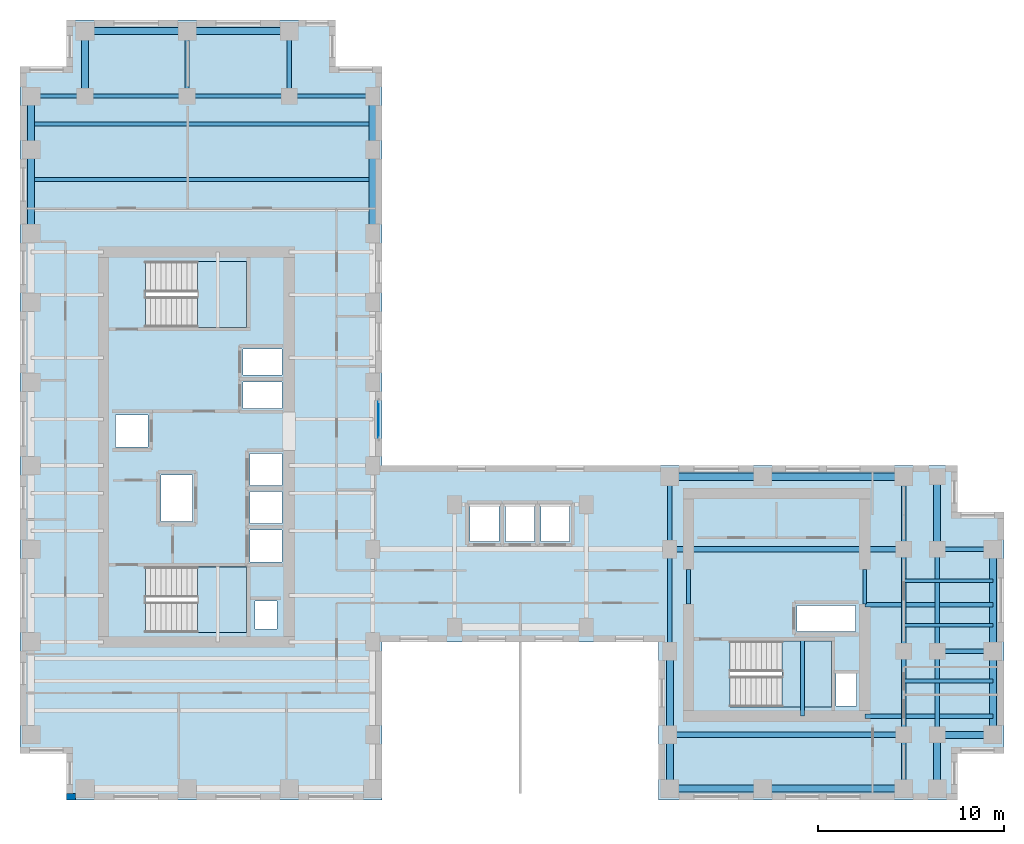
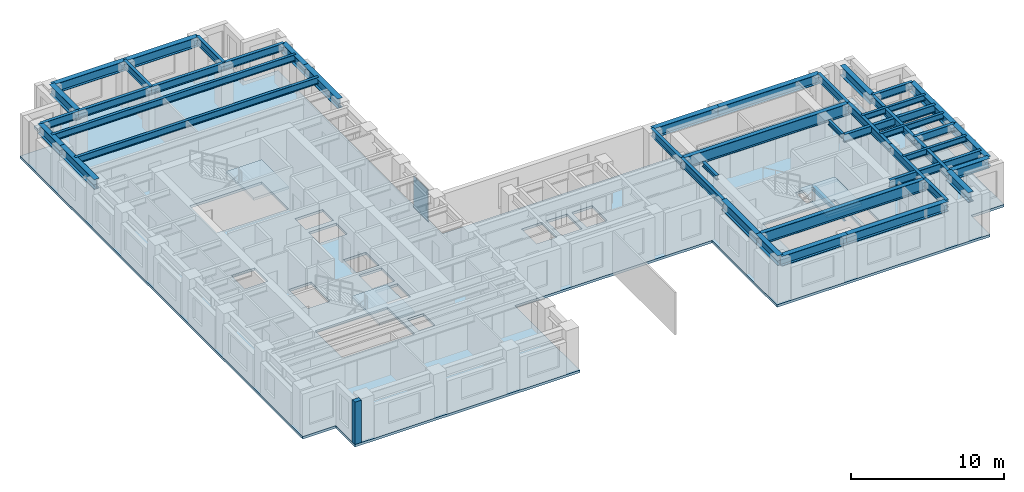
# One storey, part 3 of 11: 46 beams, 4 slabs, 1 plate, 1 wall, 4 elements without a shape of their own.
"""IFC4 building model written with IfcOpenShell, lengths in metres."""

from ifc_helpers import new_model, si_unit, direction, frame, frame_2d, origin, origin_2d, place, context, subcontext, project, spatial, polyline, rectangle, i_section, outline, extrude, source, transform, mapped, material, layer, layer_set, material_profile, profile_set, type_object, element, aggregate, save


model = new_model("IFC4")

# Units and contexts
model_context = context("Model", 3, precision=1e-05, world=origin(), true_north=direction((0.0, 1.0)))
body_context = subcontext(model_context, "Body", "Model", "MODEL_VIEW")
ifc_project = project(units=[si_unit("LENGTHUNIT", "METRE"), si_unit("AREAUNIT", "SQUARE_METRE"), si_unit("VOLUMEUNIT", "CUBIC_METRE"), si_unit("PLANEANGLEUNIT", "RADIAN"), si_unit("MASSUNIT", "GRAM", prefix="KILO")], contexts=[model_context])

# Site, building, storey
site_placement = place(None, origin())
site = spatial("IfcSite", under=ifc_project, at=site_placement, CompositionType="ELEMENT")
building_placement = place(site_placement, origin())
building = spatial("IfcBuilding", under=site, at=building_placement, Name="Kharzan Plaza Tower", CompositionType="ELEMENT")
storey_placement = place(building_placement, frame((0.0, 0.0, 182.699951171875)))
storey = spatial("IfcBuildingStorey", under=building, at=storey_placement, Name="L49", CompositionType="ELEMENT", Elevation=182.699951171875)

# Beams
ifc_material_1 = material(Name="Steel S355", Category="steel")
ifc_material_profile_1 = material_profile(ifc_material_1, i_section(OverallWidth=0.205078125, OverallDepth=0.35400390625, WebThickness=0.009521484375, FlangeThickness=0.016845703125, at=origin_2d()), Name="W360x79")
ifc_profile_set_1 = profile_set([ifc_material_profile_1], Name="Steel S355")
beam_type_1 = type_object("IfcBeamType", Name="BM-LNT360", PredefinedType="LINTEL", material=ifc_profile_set_1)
shared_shape_1 = source(origin(), body_context, "Body", "SweptSolid", [
    extrude(i_section(OverallWidth=0.205078125, OverallDepth=0.35400390625, WebThickness=0.009521484375, FlangeThickness=0.016845703125, at=origin_2d()), origin(), (0.0, 0.0, 1.0), 1.849853515625),
])
for number, where, z_axis, x_axis, name in (
    (1, (45.5, 10.550048828125, 3.22314453125), (0.0, 1.0, 0.0), (-1.0, 0.0, 0.0), "L49 CORE-B coupling lintel LN1-WE"),
    (2, (36.0, 10.550048828125, 3.22314453125), (0.0, 1.0, 0.0), (-1.0, 0.0, 0.0), "L49 CORE-B coupling lintel LN1-WW"),
):
    element("IfcBeam", number, at=place(storey_placement, frame(where, z_axis=z_axis, x_axis=x_axis)), inside=storey, type_object=beam_type_1, Name=name, PredefinedType="LINTEL", context=body_context, shape_type="MappedRepresentation", body=[
        mapped(shared_shape_1, transform((0.0, 0.0, 0.0), x_axis=(1.0, 0.0, 0.0), y_axis=(0.0, 1.0, 0.0), z_axis=(0.0, 0.0, 1.0))),
    ])
shared_shape_2 = source(origin(), body_context, "Body", "SweptSolid", [
    extrude(i_section(OverallWidth=0.205078125, OverallDepth=0.35400390625, WebThickness=0.009521484375, FlangeThickness=0.016845703125, at=origin_2d()), origin(), (0.0, 0.0, 1.0), 4.155029296875),
])
beam_1_placement = place(storey_placement, frame((42.14990234375, 4.5, 1.423095703125), z_axis=(0.0, 1.0, 0.0), x_axis=(-1.0, 0.0, 0.0)))
element("IfcBeam", 3, at=beam_1_placement, inside=storey, type_object=beam_type_1, Name="L49 Stair ST-3 Half-Landing Beam", PredefinedType="LINTEL", context=body_context, shape_type="MappedRepresentation", body=[
    mapped(shared_shape_2, transform((0.0, 0.0, 0.0), x_axis=(1.0, 0.0, 0.0), y_axis=(0.0, 1.0, 0.0), z_axis=(0.0, 0.0, 1.0))),
])
ifc_material_profile_2 = material_profile(ifc_material_1, i_section(OverallWidth=0.304931640625, OverallDepth=0.9189453125, WebThickness=0.017333984375, FlangeThickness=0.02783203125, at=origin_2d()), Name="W920x253")
ifc_profile_set_2 = profile_set([ifc_material_profile_2], Name="Steel S355")
beam_type_2 = type_object("IfcBeamType", Name="BM-FG920B", PredefinedType="BEAM", material=ifc_profile_set_2)
shared_shape_3 = source(origin(), body_context, "Body", "SweptSolid", [
    extrude(i_section(OverallWidth=0.304931640625, OverallDepth=0.9189453125, WebThickness=0.017333984375, FlangeThickness=0.02783203125, at=origin_2d()), origin(), (0.0, 0.0, 1.0), 12.60009765625),
])
for number, where, z_axis, x_axis, name in (
    (4, (35.0, 3.5, 2.9404296875), (1.0, 0.0, 0.0), (0.0, 1.0, 0.0), "L49 Primary Floor Girder"),
    (5, (35.0, 13.5, 2.9404296875), (1.0, 0.0, 0.0), (0.0, 1.0, 0.0), "L49 Primary Floor Girder"),
):
    element("IfcBeam", number, at=place(storey_placement, frame(where, z_axis=z_axis, x_axis=x_axis)), inside=storey, type_object=beam_type_2, Name=name, PredefinedType="BEAM", context=body_context, shape_type="MappedRepresentation", body=[
        mapped(shared_shape_3, transform((0.0, 0.0, 0.0), x_axis=(1.0, 0.0, 0.0), y_axis=(0.0, 1.0, 0.0), z_axis=(0.0, 0.0, 1.0))),
    ])
ifc_material_profile_3 = material_profile(ifc_material_1, i_section(OverallWidth=0.2099609375, OverallDepth=0.537109375, WebThickness=0.010986328125, FlangeThickness=0.017333984375, at=origin_2d()), Name="W530x101")
ifc_profile_set_3 = profile_set([ifc_material_profile_3], Name="Steel S355")
beam_type_3 = type_object("IfcBeamType", Name="BM-JST530B", PredefinedType="JOIST", material=ifc_profile_set_3)
shared_shape_4 = source(origin(), body_context, "Body", "SweptSolid", [
    extrude(i_section(OverallWidth=0.2099609375, OverallDepth=0.537109375, WebThickness=0.010986328125, FlangeThickness=0.017333984375, at=origin_2d()), origin(), (0.0, 0.0, 1.0), 18.39990234375),
])
for number, where, z_axis, x_axis, name in (
    (6, (0.60009765625, 33.39990234375, 3.131591796875), (1.0, 0.0, 0.0), (0.0, 1.0, 0.0), "L49 Wing A Composite Joist 05"),
    (7, (0.60009765625, 36.39990234375, 3.131591796875), (1.0, 0.0, 0.0), (0.0, 1.0, 0.0), "L49 Wing A Composite Joist 06"),
):
    element("IfcBeam", number, at=place(storey_placement, frame(where, z_axis=z_axis, x_axis=x_axis)), inside=storey, type_object=beam_type_3, Name=name, PredefinedType="JOIST", context=body_context, shape_type="MappedRepresentation", body=[
        mapped(shared_shape_4, transform((0.0, 0.0, 0.0), x_axis=(1.0, 0.0, 0.0), y_axis=(0.0, 1.0, 0.0), z_axis=(0.0, 0.0, 1.0))),
    ])
ifc_material_profile_4 = material_profile(ifc_material_1, i_section(OverallWidth=0.22900390625, OverallDepth=0.612060546875, WebThickness=0.011962890625, FlangeThickness=0.01953125, at=origin_2d()), Name="W610x125")
ifc_profile_set_4 = profile_set([ifc_material_profile_4], Name="Steel S355")
beam_type_4 = type_object("IfcBeamType", Name="BM-FG610B", PredefinedType="BEAM", material=ifc_profile_set_4)
shared_shape_5 = source(origin(), body_context, "Body", "SweptSolid", [
    extrude(i_section(OverallWidth=0.22900390625, OverallDepth=0.612060546875, WebThickness=0.011962890625, FlangeThickness=0.01953125, at=origin_2d()), origin(), (0.0, 0.0, 1.0), 4.5),
])
for number, where, z_axis, x_axis, name in (
    (8, (47.60009765625, 3.5, 3.093994140625), (0.0, 1.0, 0.0), (-1.0, 0.0, 0.0), "L49 Interior Frame Girder"),
    (9, (49.39990234375, 3.5, 3.093994140625), (0.0, 1.0, 0.0), (-1.0, 0.0, 0.0), "L49 Interior Frame Girder"),
    (10, (14.5, 37.89990234375, 3.093994140625), (1.0, 0.0, 0.0), (0.0, 1.0, 0.0), "L49 Primary Floor Girder"),
):
    element("IfcBeam", number, at=place(storey_placement, frame(where, z_axis=z_axis, x_axis=x_axis)), inside=storey, type_object=beam_type_4, Name=name, PredefinedType="BEAM", context=body_context, shape_type="MappedRepresentation", body=[
        mapped(shared_shape_5, transform((0.0, 0.0, 0.0), x_axis=(1.0, 0.0, 0.0), y_axis=(0.0, 1.0, 0.0), z_axis=(0.0, 0.0, 1.0))),
    ])
shared_shape_6 = source(origin(), body_context, "Body", "SweptSolid", [
    extrude(i_section(OverallWidth=0.22900390625, OverallDepth=0.612060546875, WebThickness=0.011962890625, FlangeThickness=0.01953125, at=origin_2d()), origin(), (0.0, 0.0, 1.0), 3.89990234375),
])
for number, where, z_axis, x_axis, name in (
    (11, (35.0, 13.5, 3.093994140625), (0.0, 1.0, 0.0), (-1.0, 0.0, 0.0), "L49 Interior Frame Girder"),
    (12, (47.60009765625, 13.5, 3.093994140625), (0.0, 1.0, 0.0), (-1.0, 0.0, 0.0), "L49 Interior Frame Girder"),
):
    element("IfcBeam", number, at=place(storey_placement, frame(where, z_axis=z_axis, x_axis=x_axis)), inside=storey, type_object=beam_type_4, Name=name, PredefinedType="BEAM", context=body_context, shape_type="MappedRepresentation", body=[
        mapped(shared_shape_6, transform((0.0, 0.0, 0.0), x_axis=(1.0, 0.0, 0.0), y_axis=(0.0, 1.0, 0.0), z_axis=(0.0, 0.0, 1.0))),
    ])
shared_shape_7 = source(origin(), body_context, "Body", "SweptSolid", [
    extrude(i_section(OverallWidth=0.22900390625, OverallDepth=0.612060546875, WebThickness=0.011962890625, FlangeThickness=0.01953125, at=origin_2d()), origin(), (0.0, 0.0, 1.0), 6.89990234375),
])
for number, where, z_axis, x_axis, name in (
    (13, (45.5, 4.5, 3.093994140625), (1.0, 0.0, 0.0), (0.0, 1.0, 0.0), "L49 Core-B East Floor Girder 1"),
    (14, (45.5, 10.5, 3.093994140625), (1.0, 0.0, 0.0), (0.0, 1.0, 0.0), "L49 Core-B East Floor Girder 2"),
):
    element("IfcBeam", number, at=place(storey_placement, frame(where, z_axis=z_axis, x_axis=x_axis)), inside=storey, type_object=beam_type_4, Name=name, PredefinedType="BEAM", context=body_context, shape_type="MappedRepresentation", body=[
        mapped(shared_shape_7, transform((0.0, 0.0, 0.0), x_axis=(1.0, 0.0, 0.0), y_axis=(0.0, 1.0, 0.0), z_axis=(0.0, 0.0, 1.0))),
    ])
shared_shape_8 = source(origin(), body_context, "Body", "SweptSolid", [
    extrude(i_section(OverallWidth=0.22900390625, OverallDepth=0.612060546875, WebThickness=0.011962890625, FlangeThickness=0.01953125, at=origin_2d()), origin(), (0.0, 0.0, 1.0), 3.5),
])
for number, where, z_axis, x_axis, name in (
    (15, (9.0, 37.89990234375, 3.093994140625), (0.0, 1.0, 0.0), (-1.0, 0.0, 0.0), "L49 Interior Frame Girder"),
    (16, (14.5, 37.89990234375, 3.093994140625), (0.0, 1.0, 0.0), (-1.0, 0.0, 0.0), "L49 Interior Frame Girder"),
):
    element("IfcBeam", number, at=place(storey_placement, frame(where, z_axis=z_axis, x_axis=x_axis)), inside=storey, type_object=beam_type_4, Name=name, PredefinedType="BEAM", context=body_context, shape_type="MappedRepresentation", body=[
        mapped(shared_shape_8, transform((0.0, 0.0, 0.0), x_axis=(1.0, 0.0, 0.0), y_axis=(0.0, 1.0, 0.0), z_axis=(0.0, 0.0, 1.0))),
    ])
shared_shape_9 = source(origin(), body_context, "Body", "SweptSolid", [
    extrude(i_section(OverallWidth=0.22900390625, OverallDepth=0.612060546875, WebThickness=0.011962890625, FlangeThickness=0.01953125, at=origin_2d()), origin(), (0.0, 0.0, 1.0), 5.5),
])
for number, where, z_axis, x_axis, name in (
    (17, (35.0, 8.0, 3.093994140625), (0.0, 1.0, 0.0), (-1.0, 0.0, 0.0), "L49 Interior Frame Girder"),
    (18, (47.60009765625, 8.0, 3.093994140625), (0.0, 1.0, 0.0), (-1.0, 0.0, 0.0), "L49 Interior Frame Girder"),
    (19, (49.39990234375, 8.0, 3.093994140625), (0.0, 1.0, 0.0), (-1.0, 0.0, 0.0), "L49 Interior Frame Girder"),
    (20, (3.5, 37.89990234375, 3.093994140625), (1.0, 0.0, 0.0), (0.0, 1.0, 0.0), "L49 Primary Floor Girder"),
    (21, (9.0, 37.89990234375, 3.093994140625), (1.0, 0.0, 0.0), (0.0, 1.0, 0.0), "L49 Primary Floor Girder"),
):
    element("IfcBeam", number, at=place(storey_placement, frame(where, z_axis=z_axis, x_axis=x_axis)), inside=storey, type_object=beam_type_4, Name=name, PredefinedType="BEAM", context=body_context, shape_type="MappedRepresentation", body=[
        mapped(shared_shape_9, transform((0.0, 0.0, 0.0), x_axis=(1.0, 0.0, 0.0), y_axis=(0.0, 1.0, 0.0), z_axis=(0.0, 0.0, 1.0))),
    ])
shared_shape_10 = source(origin(), body_context, "Body", "SweptSolid", [
    extrude(i_section(OverallWidth=0.22900390625, OverallDepth=0.612060546875, WebThickness=0.011962890625, FlangeThickness=0.01953125, at=origin_2d()), origin(), (0.0, 0.0, 1.0), 2.89990234375),
])
for number, where, z_axis, x_axis, name in (
    (22, (47.60009765625, 0.60009765625, 3.093994140625), (0.0, 1.0, 0.0), (-1.0, 0.0, 0.0), "L49 Interior Frame Girder"),
    (23, (0.60009765625, 37.89990234375, 3.093994140625), (1.0, 0.0, 0.0), (0.0, 1.0, 0.0), "L49 Primary Floor Girder"),
):
    element("IfcBeam", number, at=place(storey_placement, frame(where, z_axis=z_axis, x_axis=x_axis)), inside=storey, type_object=beam_type_4, Name=name, PredefinedType="BEAM", context=body_context, shape_type="MappedRepresentation", body=[
        mapped(shared_shape_10, transform((0.0, 0.0, 0.0), x_axis=(1.0, 0.0, 0.0), y_axis=(0.0, 1.0, 0.0), z_axis=(0.0, 0.0, 1.0))),
    ])
shared_shape_11 = source(origin(), body_context, "Body", "SweptSolid", [
    extrude(i_section(OverallWidth=0.22900390625, OverallDepth=0.612060546875, WebThickness=0.011962890625, FlangeThickness=0.01953125, at=origin_2d()), origin(), (0.0, 0.0, 1.0), 3.0),
])
for number, where, z_axis, x_axis, name in (
    (24, (49.39990234375, 8.0, 3.093994140625), (1.0, 0.0, 0.0), (0.0, 1.0, 0.0), "L49 Primary Floor Girder"),
    (25, (49.39990234375, 13.5, 3.093994140625), (1.0, 0.0, 0.0), (0.0, 1.0, 0.0), "L49 Primary Floor Girder"),
):
    element("IfcBeam", number, at=place(storey_placement, frame(where, z_axis=z_axis, x_axis=x_axis)), inside=storey, type_object=beam_type_4, Name=name, PredefinedType="BEAM", context=body_context, shape_type="MappedRepresentation", body=[
        mapped(shared_shape_11, transform((0.0, 0.0, 0.0), x_axis=(1.0, 0.0, 0.0), y_axis=(0.0, 1.0, 0.0), z_axis=(0.0, 0.0, 1.0))),
    ])
ifc_material_profile_5 = material_profile(ifc_material_1, i_section(OverallWidth=0.194091796875, OverallDepth=0.468994140625, WebThickness=0.011474609375, FlangeThickness=0.0205078125, at=origin_2d()), Name="W460x106")
ifc_profile_set_5 = profile_set([ifc_material_profile_5], Name="Steel S355")
beam_type_5 = type_object("IfcBeamType", Name="BM-JST460", PredefinedType="JOIST", material=ifc_profile_set_5)
shared_shape_12 = source(origin(), body_context, "Body", "SweptSolid", [
    extrude(i_section(OverallWidth=0.194091796875, OverallDepth=0.468994140625, WebThickness=0.011474609375, FlangeThickness=0.0205078125, at=origin_2d()), origin(), (0.0, 0.0, 1.0), 4.7998046875),
])
for number, where, z_axis, x_axis, name in (
    (26, (47.60009765625, 6.39990234375, 3.16552734375), (1.0, 0.0, 0.0), (0.0, 1.0, 0.0), "L49 Wing B Composite Joist 02"),
    (27, (47.60009765625, 9.39990234375, 3.16552734375), (1.0, 0.0, 0.0), (0.0, 1.0, 0.0), "L49 Wing B Composite Joist 03"),
    (28, (47.60009765625, 11.800048828125, 3.16552734375), (1.0, 0.0, 0.0), (0.0, 1.0, 0.0), "L49 Wing B Composite Joist 04"),
):
    element("IfcBeam", number, at=place(storey_placement, frame(where, z_axis=z_axis, x_axis=x_axis)), inside=storey, type_object=beam_type_5, Name=name, PredefinedType="JOIST", context=body_context, shape_type="MappedRepresentation", body=[
        mapped(shared_shape_12, transform((0.0, 0.0, 0.0), x_axis=(1.0, 0.0, 0.0), y_axis=(0.0, 1.0, 0.0), z_axis=(0.0, 0.0, 1.0))),
    ])
ifc_material_profile_6 = material_profile(ifc_material_1, i_section(OverallWidth=0.381103515625, OverallDepth=0.77294921875, WebThickness=0.0166015625, FlangeThickness=0.027587890625, at=origin_2d()), Name="W760x257")
ifc_profile_set_6 = profile_set([ifc_material_profile_6], Name="Steel S355")
beam_type_6 = type_object("IfcBeamType", Name="BM-SP760A", PredefinedType="SPANDREL", material=ifc_profile_set_6)
shared_shape_13 = source(origin(), body_context, "Body", "SweptSolid", [
    extrude(i_section(OverallWidth=0.381103515625, OverallDepth=0.77294921875, WebThickness=0.0166015625, FlangeThickness=0.027587890625, at=origin_2d()), origin(), (0.0, 0.0, 1.0), 5.0),
])
for number, where, z_axis, x_axis, name in (
    (29, (35.0, 0.60009765625, 3.013427734375), (1.0, 0.0, 0.0), (0.0, 1.0, 0.0), "L49 Perimeter Tube Spandrel"),
    (30, (35.0, 17.39990234375, 3.013427734375), (1.0, 0.0, 0.0), (0.0, 1.0, 0.0), "L49 Perimeter Tube Spandrel"),
):
    element("IfcBeam", number, at=place(storey_placement, frame(where, z_axis=z_axis, x_axis=x_axis)), inside=storey, type_object=beam_type_6, Name=name, PredefinedType="SPANDREL", context=body_context, shape_type="MappedRepresentation", body=[
        mapped(shared_shape_13, transform((0.0, 0.0, 0.0), x_axis=(1.0, 0.0, 0.0), y_axis=(0.0, 1.0, 0.0), z_axis=(0.0, 0.0, 1.0))),
    ])
shared_shape_14 = source(origin(), body_context, "Body", "SweptSolid", [
    extrude(i_section(OverallWidth=0.381103515625, OverallDepth=0.77294921875, WebThickness=0.0166015625, FlangeThickness=0.027587890625, at=origin_2d()), origin(), (0.0, 0.0, 1.0), 4.5),
])
for number, where, z_axis, x_axis, name in (
    (31, (0.60009765625, 30.5, 3.013427734375), (0.0, 1.0, 0.0), (-1.0, 0.0, 0.0), "L49 Perimeter Tube Spandrel"),
    (32, (19.0, 30.5, 3.013427734375), (0.0, 1.0, 0.0), (-1.0, 0.0, 0.0), "L49 Perimeter Tube Spandrel"),
    (33, (35.0, 3.5, 3.013427734375), (0.0, 1.0, 0.0), (-1.0, 0.0, 0.0), "L49 Perimeter Tube Spandrel"),
    (34, (52.39990234375, 3.5, 3.013427734375), (0.0, 1.0, 0.0), (-1.0, 0.0, 0.0), "L49 Perimeter Tube Spandrel"),
):
    element("IfcBeam", number, at=place(storey_placement, frame(where, z_axis=z_axis, x_axis=x_axis)), inside=storey, type_object=beam_type_6, Name=name, PredefinedType="SPANDREL", context=body_context, shape_type="MappedRepresentation", body=[
        mapped(shared_shape_14, transform((0.0, 0.0, 0.0), x_axis=(1.0, 0.0, 0.0), y_axis=(0.0, 1.0, 0.0), z_axis=(0.0, 0.0, 1.0))),
    ])
shared_shape_15 = source(origin(), body_context, "Body", "SweptSolid", [
    extrude(i_section(OverallWidth=0.381103515625, OverallDepth=0.77294921875, WebThickness=0.0166015625, FlangeThickness=0.027587890625, at=origin_2d()), origin(), (0.0, 0.0, 1.0), 2.89990234375),
])
for number, where, z_axis, x_axis, name in (
    (35, (0.60009765625, 35.0, 3.013427734375), (0.0, 1.0, 0.0), (-1.0, 0.0, 0.0), "L49 Perimeter Tube Spandrel"),
    (36, (19.0, 35.0, 3.013427734375), (0.0, 1.0, 0.0), (-1.0, 0.0, 0.0), "L49 Perimeter Tube Spandrel"),
    (37, (35.0, 0.60009765625, 3.013427734375), (0.0, 1.0, 0.0), (-1.0, 0.0, 0.0), "L49 Perimeter Tube Spandrel"),
    (38, (49.39990234375, 0.60009765625, 3.013427734375), (0.0, 1.0, 0.0), (-1.0, 0.0, 0.0), "L49 Perimeter Tube Spandrel"),
):
    element("IfcBeam", number, at=place(storey_placement, frame(where, z_axis=z_axis, x_axis=x_axis)), inside=storey, type_object=beam_type_6, Name=name, PredefinedType="SPANDREL", context=body_context, shape_type="MappedRepresentation", body=[
        mapped(shared_shape_15, transform((0.0, 0.0, 0.0), x_axis=(1.0, 0.0, 0.0), y_axis=(0.0, 1.0, 0.0), z_axis=(0.0, 0.0, 1.0))),
    ])
shared_shape_16 = source(origin(), body_context, "Body", "SweptSolid", [
    extrude(i_section(OverallWidth=0.381103515625, OverallDepth=0.77294921875, WebThickness=0.0166015625, FlangeThickness=0.027587890625, at=origin_2d()), origin(), (0.0, 0.0, 1.0), 3.5),
])
beam_2_placement = place(storey_placement, frame((3.5, 37.89990234375, 3.013427734375), z_axis=(0.0, 1.0, 0.0), x_axis=(-1.0, 0.0, 0.0)))
element("IfcBeam", 39, at=beam_2_placement, inside=storey, type_object=beam_type_6, Name="L49 Perimeter Tube Spandrel", PredefinedType="SPANDREL", context=body_context, shape_type="MappedRepresentation", body=[
    mapped(shared_shape_16, transform((0.0, 0.0, 0.0), x_axis=(1.0, 0.0, 0.0), y_axis=(0.0, 1.0, 0.0), z_axis=(0.0, 0.0, 1.0))),
])
shared_shape_17 = source(origin(), body_context, "Body", "SweptSolid", [
    extrude(i_section(OverallWidth=0.381103515625, OverallDepth=0.77294921875, WebThickness=0.0166015625, FlangeThickness=0.027587890625, at=origin_2d()), origin(), (0.0, 0.0, 1.0), 3.89990234375),
])
beam_3_placement = place(storey_placement, frame((49.39990234375, 13.5, 3.013427734375), z_axis=(0.0, 1.0, 0.0), x_axis=(-1.0, 0.0, 0.0)))
element("IfcBeam", 40, at=beam_3_placement, inside=storey, type_object=beam_type_6, Name="L49 Perimeter Tube Spandrel", PredefinedType="SPANDREL", context=body_context, shape_type="MappedRepresentation", body=[
    mapped(shared_shape_17, transform((0.0, 0.0, 0.0), x_axis=(1.0, 0.0, 0.0), y_axis=(0.0, 1.0, 0.0), z_axis=(0.0, 0.0, 1.0))),
])
shared_shape_18 = source(origin(), body_context, "Body", "SweptSolid", [
    extrude(i_section(OverallWidth=0.381103515625, OverallDepth=0.77294921875, WebThickness=0.0166015625, FlangeThickness=0.027587890625, at=origin_2d()), origin(), (0.0, 0.0, 1.0), 5.5),
])
for number, where, z_axis, x_axis, name in (
    (41, (52.39990234375, 8.0, 3.013427734375), (0.0, 1.0, 0.0), (-1.0, 0.0, 0.0), "L49 Perimeter Tube Spandrel"),
    (42, (3.5, 41.39990234375, 3.013427734375), (1.0, 0.0, 0.0), (0.0, 1.0, 0.0), "L49 Perimeter Tube Spandrel"),
    (43, (9.0, 41.39990234375, 3.013427734375), (1.0, 0.0, 0.0), (0.0, 1.0, 0.0), "L49 Perimeter Tube Spandrel"),
):
    element("IfcBeam", number, at=place(storey_placement, frame(where, z_axis=z_axis, x_axis=x_axis)), inside=storey, type_object=beam_type_6, Name=name, PredefinedType="SPANDREL", context=body_context, shape_type="MappedRepresentation", body=[
        mapped(shared_shape_18, transform((0.0, 0.0, 0.0), x_axis=(1.0, 0.0, 0.0), y_axis=(0.0, 1.0, 0.0), z_axis=(0.0, 0.0, 1.0))),
    ])
shared_shape_19 = source(origin(), body_context, "Body", "SweptSolid", [
    extrude(i_section(OverallWidth=0.381103515625, OverallDepth=0.77294921875, WebThickness=0.0166015625, FlangeThickness=0.027587890625, at=origin_2d()), origin(), (0.0, 0.0, 1.0), 7.60009765625),
])
for number, where, z_axis, x_axis, name in (
    (44, (40.0, 0.60009765625, 3.013427734375), (1.0, 0.0, 0.0), (0.0, 1.0, 0.0), "L49 Perimeter Tube Spandrel"),
    (45, (40.0, 17.39990234375, 3.013427734375), (1.0, 0.0, 0.0), (0.0, 1.0, 0.0), "L49 Perimeter Tube Spandrel"),
):
    element("IfcBeam", number, at=place(storey_placement, frame(where, z_axis=z_axis, x_axis=x_axis)), inside=storey, type_object=beam_type_6, Name=name, PredefinedType="SPANDREL", context=body_context, shape_type="MappedRepresentation", body=[
        mapped(shared_shape_19, transform((0.0, 0.0, 0.0), x_axis=(1.0, 0.0, 0.0), y_axis=(0.0, 1.0, 0.0), z_axis=(0.0, 0.0, 1.0))),
    ])
shared_shape_20 = source(origin(), body_context, "Body", "SweptSolid", [
    extrude(i_section(OverallWidth=0.381103515625, OverallDepth=0.77294921875, WebThickness=0.0166015625, FlangeThickness=0.027587890625, at=origin_2d()), origin(), (0.0, 0.0, 1.0), 3.0),
])
beam_4_placement = place(storey_placement, frame((49.39990234375, 3.5, 3.013427734375), z_axis=(1.0, 0.0, 0.0), x_axis=(0.0, 1.0, 0.0)))
element("IfcBeam", 46, at=beam_4_placement, inside=storey, type_object=beam_type_6, Name="L49 Perimeter Tube Spandrel", PredefinedType="SPANDREL", context=body_context, shape_type="MappedRepresentation", body=[
    mapped(shared_shape_20, transform((0.0, 0.0, 0.0), x_axis=(1.0, 0.0, 0.0), y_axis=(0.0, 1.0, 0.0), z_axis=(0.0, 0.0, 1.0))),
])

# Slab
ifc_material_2 = material(Name="Concrete C40/50", Category="concrete")
ifc_layer_1 = layer(ifc_material_2, 0.199951171875)
ifc_layer_set_1 = layer_set([ifc_layer_1], Name="Concrete C40/50")
slab_type_1 = type_object("IfcSlabType", Name="SL-FLOOR-200", PredefinedType="FLOOR", material=ifc_layer_set_1)
slab_1_placement = place(storey_placement, frame((0.0, 0.0, -0.199951171875)))
element("IfcSlab", 47, at=slab_1_placement, inside=storey, type_object=slab_type_1, Name="L49 Composite Structural Floor Slab 200 mm", PredefinedType="FLOOR", context=body_context, shape_type="SweptSolid", body=[
    extrude(outline(polyline([(34.39990234375, 18.0), (19.5, 18.0), (19.5, 39.5), (17.0, 39.5), (17.0, 42.0), (2.5, 42.0), (2.5, 39.5), (0.0, 39.5), (0.0, 2.5), (2.5, 2.5), (2.5, 0.0), (19.5, 0.0), (19.5, 8.5), (34.39990234375, 8.5), (34.39990234375, 0.0), (50.5, 0.0), (50.5, 2.5), (53.0, 2.5), (53.0, 15.5), (50.5, 15.5), (50.5, 18.0), (34.39990234375, 18.0)]), holes=[polyline([(12.199951171875, 9.0), (12.199951171875, 12.550048828125), (6.75, 12.550048828125), (6.75, 9.0), (12.199951171875, 9.0)]), polyline([(14.10009765625, 12.800048828125), (14.10009765625, 14.530029296875), (12.39990234375, 14.530029296875), (12.39990234375, 12.800048828125), (14.10009765625, 12.800048828125)]), polyline([(14.10009765625, 14.8701171875), (14.10009765625, 16.60009765625), (12.39990234375, 16.60009765625), (12.39990234375, 14.8701171875), (14.10009765625, 14.8701171875)]), polyline([(9.300048828125, 15.0), (9.300048828125, 17.5), (7.60009765625, 17.5), (7.60009765625, 15.0), (9.300048828125, 15.0)]), polyline([(6.89990234375, 19.010009765625), (6.89990234375, 20.72998046875), (5.14990234375, 20.72998046875), (5.14990234375, 19.010009765625), (6.89990234375, 19.010009765625)]), polyline([(14.10009765625, 21.070068359375), (14.10009765625, 22.489990234375), (12.0, 22.489990234375), (12.0, 21.070068359375), (14.10009765625, 21.070068359375)]), polyline([(14.10009765625, 22.8701171875), (14.10009765625, 24.2900390625), (12.0, 24.2900390625), (12.0, 22.8701171875), (14.10009765625, 22.8701171875)]), polyline([(12.199951171875, 25.449951171875), (12.199951171875, 29.0), (6.75, 29.0), (6.75, 25.449951171875), (12.199951171875, 25.449951171875)]), polyline([(45.050048828125, 5.050048828125), (45.050048828125, 6.800048828125), (43.949951171875, 6.800048828125), (43.949951171875, 5.050048828125), (45.050048828125, 5.050048828125)]), polyline([(43.699951171875, 5.0), (43.699951171875, 8.550048828125), (38.25, 8.550048828125), (38.25, 5.0), (43.699951171875, 5.0)]), polyline([(45.0, 9.070068359375), (45.0, 10.469970703125), (41.85009765625, 10.469970703125), (41.85009765625, 9.070068359375), (45.0, 9.070068359375)]), polyline([(13.85009765625, 9.199951171875), (13.85009765625, 10.699951171875), (12.64990234375, 10.699951171875), (12.64990234375, 9.199951171875), (13.85009765625, 9.199951171875)]), polyline([(25.800048828125, 13.89990234375), (25.800048828125, 15.85009765625), (24.25, 15.85009765625), (24.25, 13.89990234375), (25.800048828125, 13.89990234375)]), polyline([(27.699951171875, 13.89990234375), (27.699951171875, 15.85009765625), (26.14990234375, 15.85009765625), (26.14990234375, 13.89990234375), (27.699951171875, 13.89990234375)]), polyline([(29.60009765625, 13.89990234375), (29.60009765625, 15.85009765625), (28.050048828125, 15.85009765625), (28.050048828125, 13.89990234375), (29.60009765625, 13.89990234375)]), polyline([(14.10009765625, 16.93994140625), (14.10009765625, 18.64990234375), (12.39990234375, 18.64990234375), (12.39990234375, 16.93994140625), (14.10009765625, 16.93994140625)])]), origin(), (0.0, 0.0, 1.0), 0.199951171875),
])

# Stair, slab
stair_type_1 = type_object("IfcStairType", Name="STR-ST-1", PredefinedType="HALF_TURN_STAIR", material=ifc_material_2)
stair_1_placement = place(storey_placement, origin())
stair_1 = element("IfcStair", 48, at=stair_1_placement, inside=storey, type_object=stair_type_1, Name="L49 Protected Exit Stair ST-1", PredefinedType="HALF_TURN_STAIR")
ifc_layer_2 = layer(ifc_material_2, 0.219970703125)
ifc_layer_set_2 = layer_set([ifc_layer_2], Name="Concrete C40/50")
slab_type_2 = type_object("IfcSlabType", Name="SL-LANDING-220", PredefinedType="LANDING", material=ifc_layer_set_2)
slab_2_placement = place(storey_placement, frame((0.0, 0.0, 1.60009765625)))
slab_2 = element("IfcSlab", 49, at=slab_2_placement, type_object=slab_type_2, Name="ST-1 landing 1", PredefinedType="LANDING", context=body_context, shape_type="SweptSolid", body=[
    extrude(outline(polyline([(9.550048828125, 9.0), (12.199951171875, 9.0), (12.199951171875, 12.550048828125), (9.550048828125, 12.550048828125), (9.550048828125, 9.0)])), origin(), (0.0, 0.0, 1.0), 0.199951171875),
])
aggregate(stair_1, [slab_2])

stair_type_2 = type_object("IfcStairType", Name="STR-ST-2", PredefinedType="HALF_TURN_STAIR", material=ifc_material_2)
stair_2_placement = place(storey_placement, origin())
stair_2 = element("IfcStair", 50, at=stair_2_placement, inside=storey, type_object=stair_type_2, Name="L49 Protected Exit Stair ST-2", PredefinedType="HALF_TURN_STAIR")
slab_3_placement = place(storey_placement, frame((0.0, 0.0, 1.60009765625)))
slab_3 = element("IfcSlab", 51, at=slab_3_placement, type_object=slab_type_2, Name="ST-2 landing 1", PredefinedType="LANDING", context=body_context, shape_type="SweptSolid", body=[
    extrude(outline(polyline([(9.550048828125, 25.449951171875), (12.199951171875, 25.449951171875), (12.199951171875, 29.0), (9.550048828125, 29.0), (9.550048828125, 25.449951171875)])), origin(), (0.0, 0.0, 1.0), 0.199951171875),
])
aggregate(stair_2, [slab_3])

stair_type_3 = type_object("IfcStairType", Name="STR-ST-3", PredefinedType="HALF_TURN_STAIR", material=ifc_material_2)
stair_3_placement = place(storey_placement, origin())
stair_3 = element("IfcStair", 52, at=stair_3_placement, inside=storey, type_object=stair_type_3, Name="L49 Protected Exit Stair ST-3", PredefinedType="HALF_TURN_STAIR")
slab_4_placement = place(storey_placement, frame((0.0, 0.0, 1.60009765625)))
slab_4 = element("IfcSlab", 53, at=slab_4_placement, type_object=slab_type_2, Name="ST-3 landing 1", PredefinedType="LANDING", context=body_context, shape_type="SweptSolid", body=[
    extrude(outline(polyline([(41.050048828125, 5.0), (43.699951171875, 5.0), (43.699951171875, 8.550048828125), (41.050048828125, 8.550048828125), (41.050048828125, 5.0)])), origin(), (0.0, 0.0, 1.0), 0.199951171875),
])
aggregate(stair_3, [slab_4])

# Curtain wall, plate
ifc_material_3 = material(Name="Unitised Bronze-Anodized Aluminium and Low-E Glass", Category="aluminium")
ifc_layer_3 = layer(ifc_material_3, 0.199951171875)
ifc_layer_set_3 = layer_set([ifc_layer_3], Name="Unitised Bronze-Anodized Aluminium and Low-E Glass")
curtain_wall_type = type_object("IfcCurtainWallType", Name="CW-SLOT-3", PredefinedType="NOTDEFINED", material=ifc_layer_set_3)
curtain_wall_placement = place(storey_placement, origin())
curtain_wall = element("IfcCurtainWall", 54, at=curtain_wall_placement, inside=storey, type_object=curtain_wall_type, Name="L49 West Slot Recessed Spine Curtain Wall", PredefinedType="NOTDEFINED")
ifc_material_4 = material(Name="Dark Solar-Control Double Glazing", Category="glass")
ifc_layer_4 = layer(ifc_material_4, 0.031982421875)
ifc_layer_set_4 = layer_set([ifc_layer_4], Name="Dark Solar-Control Double Glazing")
plate_type = type_object("IfcPlateType", Name="PLT-CW-GLASS", PredefinedType="CURTAIN_PANEL", material=ifc_layer_set_4)
shared_shape_21 = source(origin(), body_context, "Body", "SweptSolid", [
    extrude(rectangle(XDim=1.929931640625, YDim=0.031982421875, at=origin_2d()), origin(), (0.0, 0.0, 1.0), 2.5400390625),
])
plate_placement = place(storey_placement, frame((19.320068359375, 20.47509765625, 0.080078125), z_axis=(0.0, 0.0, 1.0), x_axis=(0.0, 1.0, 0.0)))
plate = element("IfcPlate", 55, at=plate_placement, type_object=plate_type, Name="L49 Curtain-Wall Glazed Panel 00", PredefinedType="CURTAIN_PANEL", context=body_context, shape_type="MappedRepresentation", body=[
    mapped(shared_shape_21, transform((0.0, 0.0, 0.0), x_axis=(1.0, 0.0, 0.0), y_axis=(0.0, 1.0, 0.0), z_axis=(0.0, 0.0, 1.0))),
])
aggregate(curtain_wall, [plate])

# Wall
ifc_layer_5 = layer(ifc_material_2, 0.35009765625)
ifc_layer_set_5 = layer_set([ifc_layer_5], Name="Concrete C40/50")
wall_type = type_object("IfcWallType", Name="WL-EXT-MAS-Z3", PredefinedType="SOLIDWALL", material=ifc_layer_set_5)
shared_shape_22 = source(origin(), body_context, "Body", "SweptSolid", [
    extrude(rectangle(XDim=0.501953125, YDim=0.35009765625, at=frame_2d((0.2509765625, 0.0))), origin(), (0.0, 0.0, 1.0), 3.385009765625),
])
wall_placement = place(storey_placement, frame((2.5, 0.175048828125, 0.0), z_axis=(0.0, 0.0, 1.0), x_axis=(1.0, 0.0, 0.0)))
element("IfcWall", 56, at=wall_placement, inside=storey, type_object=wall_type, Name="L49 Masonry-Frame Exterior Wall 20", PredefinedType="SOLIDWALL", context=body_context, shape_type="MappedRepresentation", body=[
    mapped(shared_shape_22, transform((0.0, 0.0, 0.0), x_axis=(1.0, 0.0, 0.0), y_axis=(0.0, 1.0, 0.0), z_axis=(0.0, 0.0, 1.0))),
])

save(model, "model.ifc")
